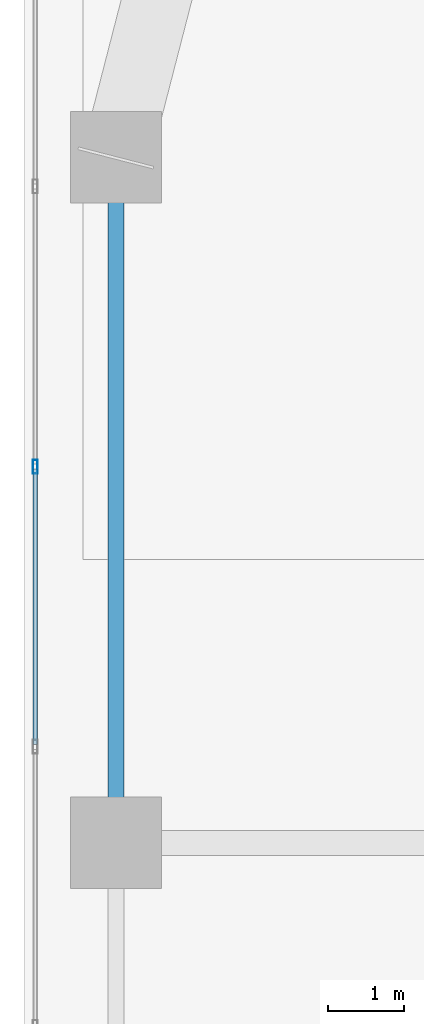
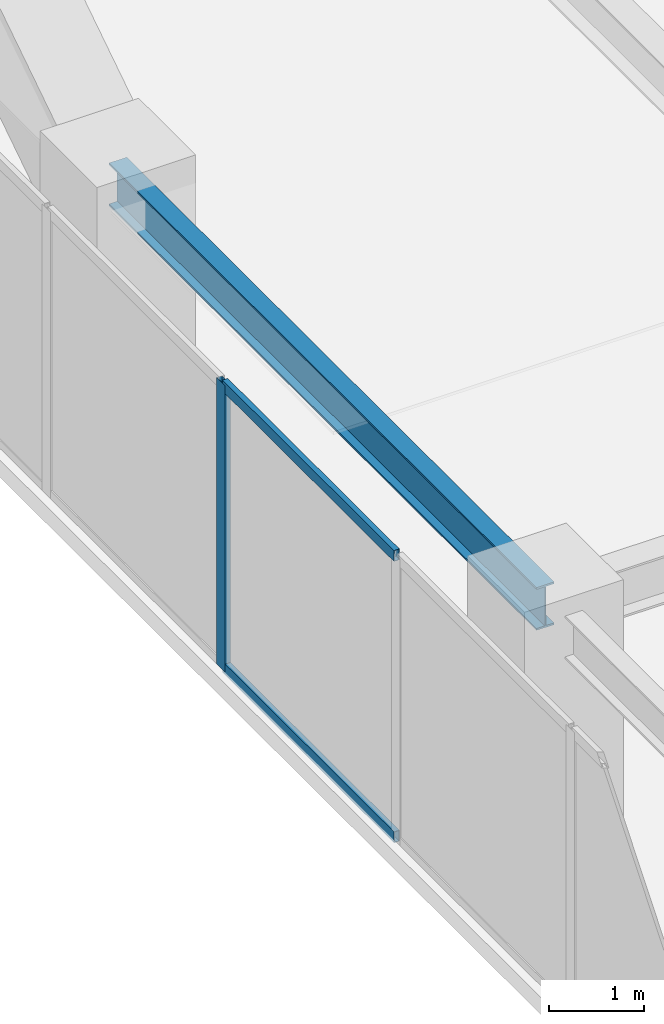
# One storey, part 7 of 30: 3 members, 1 beam, 1 element without a shape of its own.
"""IFC4 building model written with IfcOpenShell, lengths in metres."""

from ifc_helpers import new_model, si_unit, direction, frame, origin, origin_2d, place, context, subcontext, project, spatial, hollow_rectangle, i_section, extrude, material, layer, layer_set, material_profile, profile_set, type_object, element, aggregate, save


model = new_model("IFC4")

# Units and contexts
model_context = context("Model", 3, precision=1e-05, world=origin(), true_north=direction((0.0, 1.0)))
body_context = subcontext(model_context, "Body", "Model", "MODEL_VIEW")
ifc_project = project(units=[si_unit("LENGTHUNIT", "METRE"), si_unit("AREAUNIT", "SQUARE_METRE"), si_unit("VOLUMEUNIT", "CUBIC_METRE"), si_unit("PLANEANGLEUNIT", "RADIAN"), si_unit("MASSUNIT", "GRAM", prefix="KILO")], contexts=[model_context])

# Site, building, storey
site_placement = place(None, origin())
site = spatial("IfcSite", under=ifc_project, at=site_placement, CompositionType="ELEMENT")
building_placement = place(site_placement, origin())
building = spatial("IfcBuilding", under=site, at=building_placement, Name="Kiyonajd Concourse Tower", CompositionType="ELEMENT")
storey_placement = place(building_placement, frame((0.0, 0.0, 190.199951171875)))
storey = spatial("IfcBuildingStorey", under=building, at=storey_placement, Name="L48", CompositionType="ELEMENT", Elevation=190.199951171875)

# Beam
ifc_material_1 = material(Name="Steel ASTM A992 Grade 50", Category="steel")
ifc_material_profile_1 = material_profile(ifc_material_1, i_section(OverallWidth=0.214111328125, OverallDepth=0.549072265625, WebThickness=0.0146484375, FlangeThickness=0.023681640625, at=origin_2d()), Name="W530X138")
ifc_profile_set_1 = profile_set([ifc_material_profile_1], Name="Steel ASTM A992 Grade 50")
beam_type = type_object("IfcBeamType", Name="BM-SPAN-530A", PredefinedType="SPANDREL", material=ifc_profile_set_1)
beam_placement = place(storey_placement, frame((19.199951171875, 53.39990234375, 3.405517578125), z_axis=(0.0, -1.0, 0.0), x_axis=(1.0, 0.0, 0.0)))
element("IfcBeam", 1, at=beam_placement, inside=storey, type_object=beam_type, Name="L48 Perimeter Bundled Tube Spandrel", PredefinedType="SPANDREL", context=body_context, shape_type="SweptSolid", body=[
    extrude(i_section(OverallWidth=0.214111328125, OverallDepth=0.549072265625, WebThickness=0.0146484375, FlangeThickness=0.023681640625, at=origin_2d()), origin(), (0.0, 0.0, 1.0), 9.0),
])

# Curtain wall, members
ifc_material_2 = material(Name="Thermally Broken Anodised Aluminium", Category="aluminium")
ifc_layer = layer(ifc_material_2, 0.179931640625)
ifc_layer_set = layer_set([ifc_layer], Name="Thermally Broken Anodised Aluminium")
curtain_wall_type = type_object("IfcCurtainWallType", Name="CW-SYS-03", PredefinedType="NOTDEFINED", material=ifc_layer_set)
curtain_wall_placement = place(storey_placement, origin())
curtain_wall = element("IfcCurtainWall", 2, at=curtain_wall_placement, inside=storey, type_object=curtain_wall_type, Name="L48 Unitised Curtain Wall CW3", PredefinedType="NOTDEFINED")
ifc_material_profile_2 = material_profile(ifc_material_2, hollow_rectangle(XDim=0.06494140625, YDim=0.179931640625, WallThickness=0.00390625, at=origin_2d()), Name="MULL-65x180")
ifc_profile_set_2 = profile_set([ifc_material_profile_2], Name="Thermally Broken Anodised Aluminium")
member_type_1 = type_object("IfcMemberType", Name="MB-CW-MULL1", PredefinedType="MULLION", material=ifc_profile_set_2)
member_1_placement = place(storey_placement, frame((18.139892578125, 49.337646484375, 0.0), z_axis=(0.0, 0.0, 1.0), x_axis=(-1.0, 0.0, 0.0)))
member_1 = element("IfcMember", 3, at=member_1_placement, type_object=member_type_1, Name="CW3 mullion 5", PredefinedType="MULLION", context=body_context, shape_type="SweptSolid", body=[
    extrude(hollow_rectangle(XDim=0.06494140625, YDim=0.179931640625, WallThickness=0.00390625, at=origin_2d()), origin(), (0.0, 0.0, 1.0), 3.679931640625),
])
ifc_material_profile_3 = material_profile(ifc_material_2, hollow_rectangle(XDim=0.06494140625, YDim=0.139892578125, WallThickness=0.00390625, at=origin_2d()), Name="TRAN-65x140")
ifc_profile_set_3 = profile_set([ifc_material_profile_3], Name="Thermally Broken Anodised Aluminium")
member_type_2 = type_object("IfcMemberType", Name="MB-CW-TRAN1", PredefinedType="USERDEFINED", material=ifc_profile_set_3)
member_2_placement = place(storey_placement, frame((18.139892578125, 45.693359375, 0.032470703125), z_axis=(0.0, 1.0, 0.0), x_axis=(-1.0, 0.0, 0.0)))
member_2 = element("IfcMember", 4, at=member_2_placement, type_object=member_type_2, Name="CW3 transom 4.1", ObjectType="TRANSOM", PredefinedType="USERDEFINED", context=body_context, shape_type="SweptSolid", body=[
    extrude(hollow_rectangle(XDim=0.06494140625, YDim=0.139892578125, WallThickness=0.00390625, at=origin_2d()), origin(), (0.0, 0.0, 1.0), 3.61181640625),
])
member_3_placement = place(storey_placement, frame((18.139892578125, 45.693359375, 3.6474609375), z_axis=(0.0, 1.0, 0.0), x_axis=(-1.0, 0.0, 0.0)))
member_3 = element("IfcMember", 5, at=member_3_placement, type_object=member_type_2, Name="CW3 transom 4.2", ObjectType="TRANSOM", PredefinedType="USERDEFINED", context=body_context, shape_type="SweptSolid", body=[
    extrude(hollow_rectangle(XDim=0.06494140625, YDim=0.139892578125, WallThickness=0.00390625, at=origin_2d()), origin(), (0.0, 0.0, 1.0), 3.61181640625),
])
aggregate(curtain_wall, [member_1, member_2, member_3])

save(model, "model.ifc")
